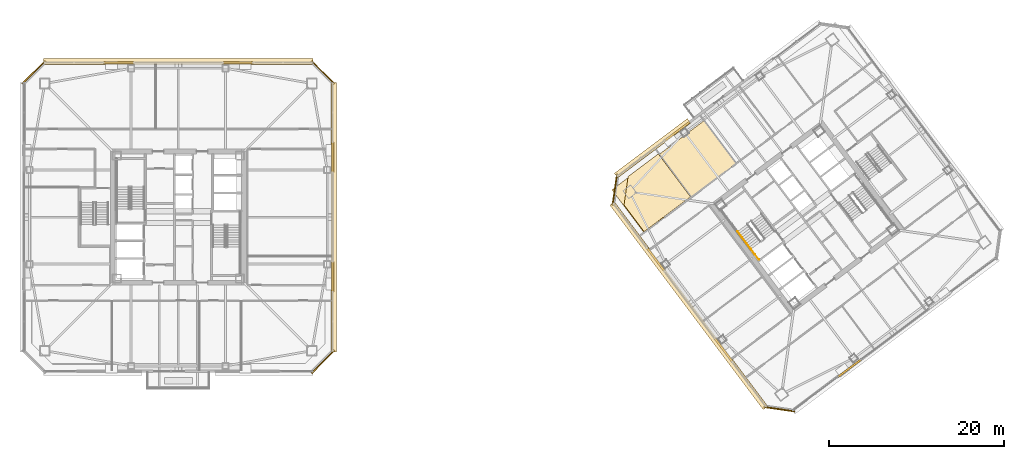
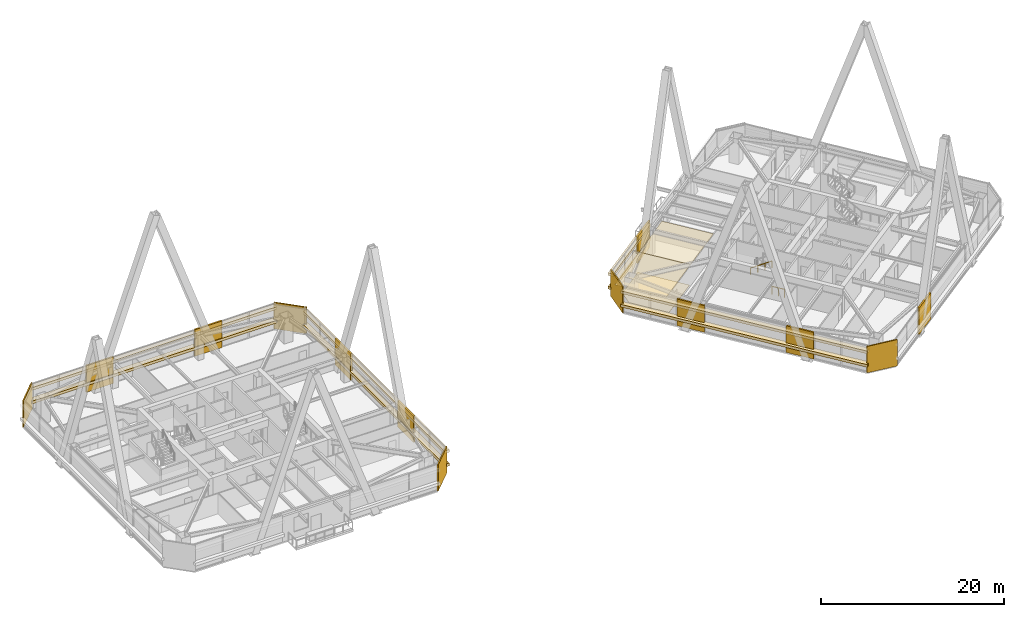
# One storey, part 52 of 55: 24 coverings, 2 railings.
"""IFC4 building model written with IfcOpenShell, lengths in metres."""

import ifcopenshell
import ifcopenshell.guid

model = None  # the IFC model being written
_history = None  # IfcOwnerHistory: only IFC2X3 demands one
_inside = {}  # id of a spatial element -> (the spatial element, [elements in it])
_under = {}  # id of a project, library or spatial element -> (it, [spatial elements below it])
_declared = {}  # id of a project -> (the project, [libraries it declares])
_typed = {}  # id of a type object -> (the type object, [elements of that type])
_made_of = {}  # id of a material, layer set ... -> (it, [elements and type objects made of it])


def new_model(schema):
    """Start an empty IFC model of exactly this schema.

    Asked for "IFC4X3", IfcOpenShell would pick the latest addendum, in which some entities
    have other attributes; the version numbers below select the first issue.
    IFC2X3 requires an IfcOwnerHistory on every rooted entity: one is made here for all.
    """
    global model, _history
    if schema == "IFC4X3":
        model = ifcopenshell.file(schema_version=(4, 3, 0, 0))
    else:
        model = ifcopenshell.file(schema=schema)
    _inside.clear()
    _under.clear()
    _declared.clear()
    _typed.clear()
    _made_of.clear()
    _history = None
    if model.schema == "IFC2X3":
        org = make("IfcOrganization", Name="unknown")
        user = make(
            "IfcPersonAndOrganization",
            ThePerson=make("IfcPerson", FamilyName="unknown"),
            TheOrganization=org,
        )
        app = make(
            "IfcApplication",
            ApplicationDeveloper=org,
            Version="unknown",
            ApplicationFullName="unknown",
            ApplicationIdentifier="unknown",
        )
        _history = make(
            "IfcOwnerHistory",
            OwningUser=user,
            OwningApplication=app,
            ChangeAction="ADDED",
            CreationDate=0,
        )
    return model


def make(cls, **values):
    """One entity of the class cls with the attributes given. An attribute that is None is left unset."""
    return model.create_entity(
        cls, **{name: value for name, value in values.items() if value is not None}
    )


def rooted(cls, **values):
    """An entity with a GlobalId (a new one), such as an element, a storey or a relation."""
    return make(cls, GlobalId=ifcopenshell.guid.new(), OwnerHistory=_history, **values)


def si_unit(unit_type, name, prefix=None):
    """IfcSIUnit, for example si_unit("LENGTHUNIT", "METRE", prefix="MILLI")."""
    return make("IfcSIUnit", UnitType=unit_type, Prefix=prefix, Name=name)


def assignment(units):
    """IfcUnitAssignment: the units of a project."""
    return None if units is None else make("IfcUnitAssignment", Units=units)


def point(xyz):
    """IfcCartesianPoint."""
    return None if xyz is None else make("IfcCartesianPoint", Coordinates=xyz)


def direction(xyz):
    """IfcDirection."""
    return None if xyz is None else make("IfcDirection", DirectionRatios=xyz)


def frame(location, z_axis=None, x_axis=None):
    """IfcAxis2Placement3D, a coordinate frame: its origin and axes. An axis left out is left unset."""
    return make(
        "IfcAxis2Placement3D",
        Location=point(location),
        Axis=direction(z_axis),
        RefDirection=direction(x_axis),
    )


def frame_2d(location, x_axis=None):
    """IfcAxis2Placement2D, a coordinate frame in the plane: its origin and x axis."""
    return make(
        "IfcAxis2Placement2D", Location=point(location), RefDirection=direction(x_axis)
    )


def origin():
    """The frame at (0, 0, 0) with its axes left unset."""
    return frame((0.0, 0.0, 0.0))


def origin_2d():
    """The frame at (0, 0) in the plane with its x axis left unset."""
    return frame_2d((0.0, 0.0))


def place(relative_to, where):
    """IfcLocalPlacement: puts the frame where relative to a parent placement (None: the world)."""
    return make(
        "IfcLocalPlacement", PlacementRelTo=relative_to, RelativePlacement=where
    )


def context(
    kind, dimensions, precision=None, world=None, true_north=None, identifier=None
):
    """IfcGeometricRepresentationContext, for example the 3D "Model" context."""
    return make(
        "IfcGeometricRepresentationContext",
        ContextIdentifier=identifier,
        ContextType=kind,
        CoordinateSpaceDimension=dimensions,
        Precision=precision,
        WorldCoordinateSystem=world,
        TrueNorth=true_north,
    )


def subcontext(parent, identifier, kind, view, scale=None):
    """IfcGeometricRepresentationSubContext, for example "Body" below "Model"."""
    return make(
        "IfcGeometricRepresentationSubContext",
        ContextIdentifier=identifier,
        ContextType=kind,
        ParentContext=parent,
        TargetScale=scale,
        TargetView=view,
    )


def project(units=None, contexts=None):
    """IfcProject with its units and contexts."""
    return rooted(
        "IfcProject",
        Name="project",
        RepresentationContexts=contexts,
        UnitsInContext=assignment(units),
    )


def spatial(cls, under=None, at=None, **own):
    """A site, building, storey or space (cls), placed at a placement, below another one or the project."""
    s = rooted(cls, ObjectPlacement=at, **own)
    if under is not None:
        _under.setdefault(under.id(), (under, []))[1].append(s)
    return s


def polyline(points):
    """IfcPolyline through the points."""
    return make("IfcPolyline", Points=[point(p) for p in points])


def profile(cls, at=None, kind="AREA", **sizes):
    """A parametric profile (cls). Its sizes go by their IFC names, for example OverallWidth=200.0."""
    return make(cls, ProfileType=kind, Position=at, **sizes)


def rectangle(**sizes):
    """IfcRectangleProfileDef."""
    return profile("IfcRectangleProfileDef", **sizes)


def outline(outer, holes=None, kind="AREA"):
    """IfcArbitraryClosedProfileDef: a profile drawn as a closed curve; with holes, ...WithVoids."""
    if holes is None:
        return make("IfcArbitraryClosedProfileDef", ProfileType=kind, OuterCurve=outer)
    return make(
        "IfcArbitraryProfileDefWithVoids",
        ProfileType=kind,
        OuterCurve=outer,
        InnerCurves=holes,
    )


def extrude(swept, where, along, depth):
    """IfcExtrudedAreaSolid: the profile swept, set in the frame where, extruded along a direction by depth."""
    return make(
        "IfcExtrudedAreaSolid",
        SweptArea=swept,
        Position=where,
        ExtrudedDirection=direction(along),
        Depth=depth,
    )


def shape(context_of_items, identifier, shape_type, items):
    """IfcShapeRepresentation: the items that make up one representation, for example the "Body"."""
    return make(
        "IfcShapeRepresentation",
        ContextOfItems=context_of_items,
        RepresentationIdentifier=identifier,
        RepresentationType=shape_type,
        Items=items,
    )


def material(Name=None, Category=None):
    """IfcMaterial."""
    return make("IfcMaterial", Name=Name, Category=Category)


def layer(
    of_material, thickness, ventilated=None, Name=None, Category=None, Priority=None
):
    """IfcMaterialLayer: one layer of a wall or slab, of a material (None: an air gap)."""
    return make(
        "IfcMaterialLayer",
        Material=of_material,
        LayerThickness=thickness,
        IsVentilated=ventilated,
        Name=Name,
        Category=Category,
        Priority=Priority,
    )


def layer_set(layers, Name=None):
    """IfcMaterialLayerSet."""
    return make("IfcMaterialLayerSet", MaterialLayers=layers, LayerSetName=Name)


def made_of(thing, what):
    """Note that an element or type object is made of a material, layer set ...; save() writes the relation."""
    if what is not None:
        _made_of.setdefault(what.id(), (what, []))[1].append(thing)
    return thing


def type_object(cls, material=None, **own):
    """A type object (cls), such as IfcWallType, which elements share."""
    return made_of(rooted(cls, **own), material)


def element(
    cls,
    number,
    at=None,
    inside=None,
    cuts=None,
    type_object=None,
    material=None,
    context=None,
    identifier="Body",
    shape_type=None,
    held_by="IfcProductDefinitionShape",
    body=None,
    shapes=None,
    **own,
):
    """One element of the class cls, such as IfcWall. Its Tag is "e" and its number.

    at: its placement. inside: the storey or other place that contains it. cuts: it is an
    opening in that element (IfcRelVoidsElement). A single representation is given by context,
    identifier, shape_type and body (its items); several are given by shapes. held_by: the class
    of the entity that holds the representations. save() writes the other relations.
    """
    e = rooted(cls, Tag="e%d" % number, ObjectPlacement=at, **own)
    if body is not None:
        shapes = [shape(context, identifier, shape_type, body)]
    if shapes is not None:
        e.Representation = make(held_by, Representations=shapes)
    if inside is not None:
        _inside.setdefault(inside.id(), (inside, []))[1].append(e)
    if cuts is not None:
        rooted(
            "IfcRelVoidsElement", RelatingBuildingElement=cuts, RelatedOpeningElement=e
        )
    if type_object is not None:
        _typed.setdefault(type_object.id(), (type_object, []))[1].append(e)
    return made_of(e, material)


def aggregate(whole, parts):
    """IfcRelAggregates: a whole, such as a stair, and the parts it consists of."""
    return rooted("IfcRelAggregates", RelatingObject=whole, RelatedObjects=parts)


def save(model, path):
    """Write the relations noted so far, then the file.

    IfcRelAggregates (storeys below a building ...), IfcRelContainedInSpatialStructure (elements
    in a storey), IfcRelDefinesByType, IfcRelAssociatesMaterial and IfcRelDeclares: one each for
    every whole, place, type object, material and project.
    """
    for whole, parts in _under.values():
        aggregate(whole, parts)
    for where, things in _inside.values():
        rooted(
            "IfcRelContainedInSpatialStructure",
            RelatedElements=things,
            RelatingStructure=where,
        )
    for kind, things in _typed.values():
        rooted("IfcRelDefinesByType", RelatedObjects=things, RelatingType=kind)
    for what, things in _made_of.values():
        rooted("IfcRelAssociatesMaterial", RelatedObjects=things, RelatingMaterial=what)
    for by, libraries in _declared.values():
        rooted("IfcRelDeclares", RelatingContext=by, RelatedDefinitions=libraries)
    model.write(path)


model = new_model("IFC4")

# Units and contexts
model_context = context("Model", 3, precision=1e-05, world=origin(), true_north=direction((0.0, 1.0)))
body_context = subcontext(model_context, "Body", "Model", "MODEL_VIEW")
ifc_project = project(units=[si_unit("LENGTHUNIT", "METRE"), si_unit("AREAUNIT", "SQUARE_METRE"), si_unit("VOLUMEUNIT", "CUBIC_METRE"), si_unit("PLANEANGLEUNIT", "RADIAN"), si_unit("MASSUNIT", "GRAM", prefix="KILO")], contexts=[model_context])

# Site, building, storey
site_placement = place(None, origin())
site = spatial("IfcSite", under=ifc_project, at=site_placement, CompositionType="ELEMENT")
building_placement = place(site_placement, origin())
building = spatial("IfcBuilding", under=site, at=building_placement, Name="Tashvorn Skyway Center", CompositionType="ELEMENT")
storey_placement = place(building_placement, frame((0.0, 0.0, 178.300048828125)))
storey = spatial("IfcBuildingStorey", under=building, at=storey_placement, Name="L48", CompositionType="ELEMENT", Elevation=178.300048828125)

# Coverings
ifc_material_1 = material(Name="Precast concrete C40/50", Category="concrete")
ifc_layer_1 = layer(ifc_material_1, 0.199951171875)
ifc_layer_set_1 = layer_set([ifc_layer_1], Name="Precast concrete C40/50")
covering_type_1 = type_object("IfcCoveringType", Name="COV-BRACE-CLAD", PredefinedType="CLADDING", material=ifc_layer_set_1)
for number, where, z_axis, x_axis, name in (
    (1, (35.16455078125, 49.679931640625, 0.0), (0.0, 0.0, 1.0), (1.0, 0.0, 0.0), "Tower 1 L48 North Unitised Curtain Wall Mega-Brace Cladding Band 1"),
    (2, (48.83544921875, 49.679931640625, 0.0), (0.0, 0.0, 1.0), (1.0, 0.0, 0.0), "Tower 1 L48 North Unitised Curtain Wall Mega-Brace Cladding Band 2"),
    (3, (59.679931640625, 38.83544921875, 0.0), (0.0, 0.0, 1.0), (0.0, -1.0, 0.0), "Tower 1 L48 East Unitised Curtain Wall Mega-Brace Cladding Band 1"),
    (4, (59.679931640625, 25.16455078125, 0.0), (0.0, 0.0, 1.0), (0.0, -1.0, 0.0), "Tower 1 L48 East Unitised Curtain Wall Mega-Brace Cladding Band 2"),
):
    element("IfcCovering", number, at=place(storey_placement, frame(where, z_axis=z_axis, x_axis=x_axis)), inside=storey, type_object=covering_type_1, Name=name, PredefinedType="CLADDING", context=body_context, shape_type="SweptSolid", body=[
        extrude(rectangle(XDim=3.417724609375, YDim=0.199951171875, at=origin_2d()), origin(), (0.0, 0.0, 1.0), 3.550048828125),
    ])
for number, where, z_axis, x_axis, name in (
    (5, (118.884033203125, 14.68798828125, 0.0), (0.0, 0.0, 1.0), (-0.799999996291, -0.600000004945, 0.0), "Tower 2 L48 South Unitised Curtain Wall Mega-Brace Cladding Band 2"),
    (6, (104.464111328125, 16.748046875, 0.0), (0.0, 0.0, 1.0), (-0.600000004945, 0.799999996291, 0.0), "Tower 2 L48 West Unitised Curtain Wall Mega-Brace Cladding Band 1"),
    (7, (96.68798828125, 27.115966796875, 0.0), (0.0, 0.0, 1.0), (-0.600000004945, 0.799999996291, 0.0), "Tower 2 L48 West Unitised Curtain Wall Mega-Brace Cladding Band 2"),
):
    element("IfcCovering", number, at=place(storey_placement, frame(where, z_axis=z_axis, x_axis=x_axis)), inside=storey, type_object=covering_type_1, Name=name, PredefinedType="CLADDING", context=body_context, shape_type="SweptSolid", body=[
        extrude(rectangle(XDim=3.239990234375, YDim=0.199951171875, at=origin_2d()), origin(), (0.0, 0.0, 1.0), 3.550048828125),
    ])
covering_1_placement = place(storey_placement, frame((99.154541015625, 41.841064453125, 0.0), z_axis=(0.0, 0.0, 1.0), x_axis=(0.799999996291, 0.600000004945, 0.0)))
element("IfcCovering", 8, at=covering_1_placement, inside=storey, type_object=covering_type_1, Name="Tower 2 L48 North Curtain Wall L Mega-Brace Cladding Band 1", PredefinedType="CLADDING", context=body_context, shape_type="SweptSolid", body=[
    extrude(rectangle(XDim=3.443359375, YDim=0.199951171875, at=origin_2d()), origin(), (0.0, 0.0, 1.0), 3.550048828125),
])
ifc_material_2 = material(Name="Mineral-fibre acoustic ceiling tile on suspended grid")
ifc_layer_2 = layer(ifc_material_2, 0.02001953125)
ifc_layer_set_2 = layer_set([ifc_layer_2], Name="Mineral-fibre acoustic ceiling tile on suspended grid")
covering_type_2 = type_object("IfcCoveringType", Name="COV-CEIL-20", PredefinedType="CEILING", material=ifc_layer_set_2)
covering_2_placement = place(storey_placement, frame((0.0, 0.0, 2.702880859375)))
element("IfcCovering", 9, at=covering_2_placement, inside=storey, type_object=covering_type_2, Name="Tower 2 L48 Research Library Acoustic Ceiling", PredefinedType="CEILING", context=body_context, shape_type="SweptSolid", body=[
    extrude(outline(polyline([(95.337890625, 30.216064453125), (100.778076171875, 34.2958984375), (97.10009765625, 39.199951171875), (91.659912109375, 35.1201171875), (95.337890625, 30.216064453125)])), origin(), (0.0, 0.0, 1.0), 0.02001953125),
])
covering_3_placement = place(storey_placement, frame((0.0, 0.0, 2.702880859375)))
element("IfcCovering", 10, at=covering_3_placement, inside=storey, type_object=covering_type_2, Name="Tower 2 L48 Research Library Acoustic Ceiling", PredefinedType="CEILING", context=body_context, shape_type="SweptSolid", body=[
    extrude(outline(polyline([(100.778076171875, 34.2958984375), (105.89794921875, 38.135986328125), (102.219970703125, 43.0400390625), (97.10009765625, 39.199951171875), (100.778076171875, 34.2958984375)])), origin(), (0.0, 0.0, 1.0), 0.02001953125),
])
ifc_material_3 = material(Name="Polished Mojave desert-aggregate terrazzo and cover plate")
ifc_layer_3 = layer(ifc_material_3, 0.0400390625)
ifc_layer_set_3 = layer_set([ifc_layer_3], Name="Polished Mojave desert-aggregate terrazzo and cover plate")
covering_type_3 = type_object("IfcCoveringType", Name="COV-FLR-40", PredefinedType="FLOORING", material=ifc_layer_set_3)
covering_4_placement = place(storey_placement, origin())
element("IfcCovering", 11, at=covering_4_placement, inside=storey, type_object=covering_type_3, Name="Tower 2 L48 Research Library Finish Flooring", PredefinedType="FLOORING", context=body_context, shape_type="SweptSolid", body=[
    extrude(outline(polyline([(100.666015625, 34.31201171875), (95.35400390625, 30.327880859375), (93.055908203125, 33.39208984375), (93.52001953125, 36.639892578125), (96.97607421875, 39.23193359375), (100.666015625, 34.31201171875)])), origin(), (0.0, 0.0, 1.0), 0.0400390625),
])
ifc_material_4 = material(Name="Perforated ceramic-coated bronze aluminium solar screen", Category="aluminium")
ifc_layer_4 = layer(ifc_material_4, 0.85009765625)
ifc_layer_set_4 = layer_set([ifc_layer_4], Name="Perforated ceramic-coated bronze aluminium solar screen")
covering_type_4 = type_object("IfcCoveringType", Name="COV-SOLAR-BAND", PredefinedType="CLADDING", material=ifc_layer_set_4)
for number, where, z_axis, x_axis, name in (
    (12, (42.0, 49.820068359375, 0.919921875), (0.0, 0.0, 1.0), (1.0, 0.0, 0.0), "L48 Perforated Ceramic-Metal Solar Screen Louvre Band North 1"),
    (13, (42.0, 49.820068359375, 2.7197265625), (0.0, 0.0, 1.0), (1.0, 0.0, 0.0), "L48 Perforated Ceramic-Metal Solar Screen Louvre Band North 2"),
    (14, (59.820068359375, 32.0, 0.919921875), (0.0, 0.0, 1.0), (0.0, -1.0, 0.0), "L48 Perforated Ceramic-Metal Solar Screen Louvre Band East 1"),
    (15, (59.820068359375, 32.0, 2.7197265625), (0.0, 0.0, 1.0), (0.0, -1.0, 0.0), "L48 Perforated Ceramic-Metal Solar Screen Louvre Band East 2"),
):
    element("IfcCovering", number, at=place(storey_placement, frame(where, z_axis=z_axis, x_axis=x_axis)), inside=storey, type_object=covering_type_4, Name=name, PredefinedType="CLADDING", context=body_context, shape_type="SweptSolid", body=[
        extrude(rectangle(XDim=30.8798828125, YDim=0.639892578125, at=origin_2d()), origin(), (0.0, 0.0, 1.0), 0.360107421875),
    ])
for number, where, z_axis, x_axis, name in (
    (16, (100.464111328125, 21.847900390625, 0.919921875), (0.0, 0.0, 1.0), (-0.600000004945, 0.799999996291, 0.0), "L48 Perforated Ceramic-Metal Solar Screen Louvre Band West 1"),
    (17, (100.464111328125, 21.847900390625, 2.7197265625), (0.0, 0.0, 1.0), (-0.600000004945, 0.799999996291, 0.0), "L48 Perforated Ceramic-Metal Solar Screen Louvre Band West 2"),
):
    element("IfcCovering", number, at=place(storey_placement, frame(where, z_axis=z_axis, x_axis=x_axis)), inside=storey, type_object=covering_type_4, Name=name, PredefinedType="CLADDING", context=body_context, shape_type="SweptSolid", body=[
        extrude(rectangle(XDim=29.280029296875, YDim=0.639892578125, at=origin_2d()), origin(), (0.0, 0.0, 1.0), 0.360107421875),
    ])
for number, where, z_axis, x_axis, name in (
    (18, (96.31591796875, 39.886962890625, 0.919921875), (0.0, 0.0, 1.0), (0.799999996291, 0.600000004945, 0.0), "L48 Perforated Ceramic-Metal Solar Screen Louvre Band North 1"),
    (19, (96.31591796875, 39.886962890625, 2.7197265625), (0.0, 0.0, 1.0), (0.799999996291, 0.600000004945, 0.0), "L48 Perforated Ceramic-Metal Solar Screen Louvre Band North 2"),
):
    element("IfcCovering", number, at=place(storey_placement, frame(where, z_axis=z_axis, x_axis=x_axis)), inside=storey, type_object=covering_type_4, Name=name, PredefinedType="CLADDING", context=body_context, shape_type="SweptSolid", body=[
        extrude(rectangle(XDim=10.449951171875, YDim=0.639892578125, at=origin_2d()), origin(), (0.0, 0.0, 1.0), 0.360107421875),
    ])
ifc_layer_5 = layer(ifc_material_1, 0.35009765625)
ifc_layer_set_5 = layer_set([ifc_layer_5], Name="Precast concrete C40/50")
covering_type_5 = type_object("IfcCoveringType", Name="COV-STONE-TRIM", PredefinedType="CLADDING", material=ifc_layer_set_5)
for number, where, z_axis, x_axis, name in (
    (20, (25.429931640625, 48.570068359375, 0.02001953125), (0.0, 0.0, 1.0), (-0.707106781187, -0.707106781187, 0.0), "Tower 1 L48 NW Mojave Limestone Corner Quoin"),
    (21, (58.570068359375, 48.570068359375, 0.02001953125), (0.0, 0.0, 1.0), (0.707106781187, -0.707106781187, 0.0), "Tower 1 L48 NE Mojave Limestone Corner Quoin"),
    (22, (58.570068359375, 15.429931640625, 0.02001953125), (0.0, 0.0, 1.0), (0.707106781187, 0.707106781187, 0.0), "Tower 1 L48 SE Mojave Limestone Corner Quoin"),
):
    element("IfcCovering", number, at=place(storey_placement, frame(where, z_axis=z_axis, x_axis=x_axis)), inside=storey, type_object=covering_type_5, Name=name, PredefinedType="CLADDING", context=body_context, shape_type="SweptSolid", body=[
        extrude(rectangle(XDim=3.695556640625, YDim=0.139892578125, at=origin_2d()), origin(), (0.0, 0.0, 1.0), 3.510009765625),
    ])
for number, where, z_axis, x_axis, name in (
    (23, (110.85595703125, 9.991943359375, 0.02001953125), (0.0, 0.0, 1.0), (-0.989949494535, 0.141421350118, 0.0), "Tower 2 L48 SW Mojave Limestone Corner Quoin"),
    (24, (91.991943359375, 35.14404296875, 0.02001953125), (0.0, 0.0, 1.0), (-0.141421350118, -0.989949494535, 0.0), "Tower 2 L48 NW Mojave Limestone Corner Quoin"),
):
    element("IfcCovering", number, at=place(storey_placement, frame(where, z_axis=z_axis, x_axis=x_axis)), inside=storey, type_object=covering_type_5, Name=name, PredefinedType="CLADDING", context=body_context, shape_type="SweptSolid", body=[
        extrude(rectangle(XDim=3.55419921875, YDim=0.139892578125, at=origin_2d()), origin(), (0.0, 0.0, 1.0), 3.510009765625),
    ])

# Railings
ifc_material_5 = material(Name="Brushed stainless steel 316", Category="steel")
railing_type_1 = type_object("IfcRailingType", Name="RAIL-HAND-920", PredefinedType="HANDRAIL", material=ifc_material_5)
railing_1_placement = place(storey_placement, frame((106.072021484375, 30.35400390625, 1.952392578125)))
element("IfcRailing", 25, at=railing_1_placement, inside=storey, type_object=railing_type_1, Name="L48 ST-T2-1 stair handrail 2", PredefinedType="HANDRAIL", context=body_context, shape_type="SweptSolid", body=[
    extrude(rectangle(XDim=0.048095703125, YDim=0.048095703125, at=origin_2d()), frame((0.0, 0.0, 0.8759765625), z_axis=(0.506718600913, -0.675679348675, 0.535437836974), x_axis=(0.800023250257, 0.599968998406, 0.0)), (0.0, 0.0, 1.0), 2.98388671875),
    extrude(rectangle(XDim=0.0419921875, YDim=0.0419921875, at=origin_2d()), origin(), (0.0, 0.0, 1.0), 0.851806640625),
    extrude(rectangle(XDim=0.0419921875, YDim=0.0419921875, at=origin_2d()), frame((0.50390625, -0.672119140625, 0.532470703125)), (0.0, 0.0, 1.0), 0.851806640625),
    extrude(rectangle(XDim=0.0419921875, YDim=0.0419921875, at=origin_2d()), frame((1.008056640625, -1.343994140625, 1.065185546875)), (0.0, 0.0, 1.0), 0.851806640625),
    extrude(rectangle(XDim=0.0419921875, YDim=0.0419921875, at=origin_2d()), frame((1.511962890625, -2.01611328125, 1.59765625)), (0.0, 0.0, 1.0), 0.851806640625),
])
ifc_material_6 = material(Name="Painted galvanized steel S355", Category="steel")
railing_type_2 = type_object("IfcRailingType", Name="RAIL-STGUARD-1100", PredefinedType="GUARDRAIL", material=ifc_material_6)
railing_2_placement = place(storey_placement, frame((108.49609375, 27.1220703125, 0.0)))
element("IfcRailing", 26, at=railing_2_placement, inside=storey, type_object=railing_type_2, Name="L48 ST-T2-1 stair guard 6", PredefinedType="GUARDRAIL", context=body_context, shape_type="SweptSolid", body=[
    extrude(rectangle(XDim=0.048095703125, YDim=0.048095703125, at=origin_2d()), frame((0.0, 0.0, 1.076171875), z_axis=(-0.600102796382, 0.799922892393, 0.0), x_axis=(-0.799922892393, -0.600102796382, 0.0)), (0.0, 0.0, 1.0), 1.52001953125),
    extrude(rectangle(XDim=0.0419921875, YDim=0.0419921875, at=origin_2d()), origin(), (0.0, 0.0, 1.0), 1.052001953125),
    extrude(rectangle(XDim=0.0419921875, YDim=0.0419921875, at=origin_2d()), frame((-0.4560546875, 0.60791015625, 0.0)), (0.0, 0.0, 1.0), 1.052001953125),
    extrude(rectangle(XDim=0.0419921875, YDim=0.0419921875, at=origin_2d()), frame((-0.912109375, 1.2158203125, 0.0)), (0.0, 0.0, 1.0), 1.052001953125),
])

save(model, "model.ifc")
